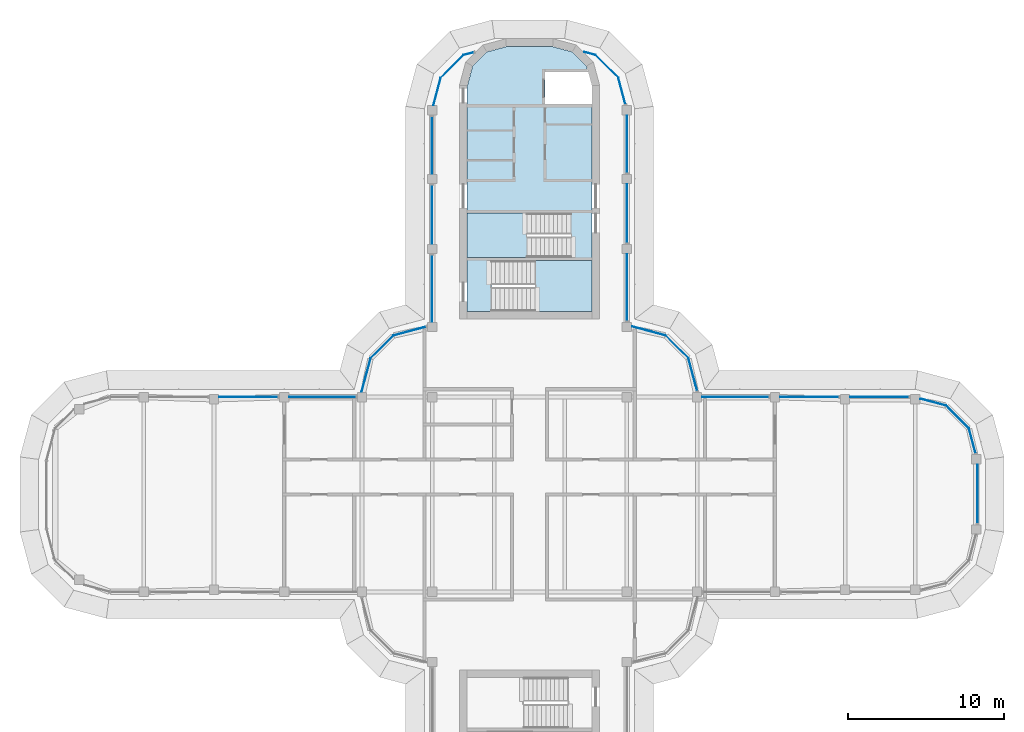
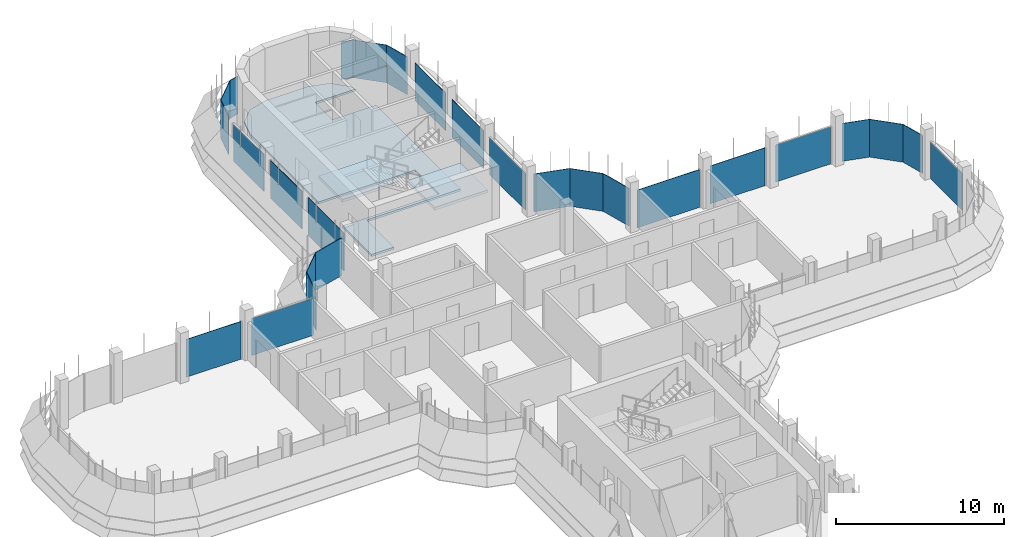
# One storey, part 12 of 19: 27 plates, 3 slabs, 22 elements without a shape of their own.
"""IFC4 building model written with IfcOpenShell, lengths in metres."""

from ifc_helpers import new_model, si_unit, direction, frame, origin, place, context, subcontext, project, spatial, polyline, outline, extrude, source, transform, mapped, material, layer, layer_set, type_object, element, aggregate, save


model = new_model("IFC4")

# Units and contexts
model_context = context("Model", 3, precision=1e-05, world=origin(), true_north=direction((0.0, 1.0)))
body_context = subcontext(model_context, "Body", "Model", "MODEL_VIEW")
ifc_project = project(units=[si_unit("LENGTHUNIT", "METRE"), si_unit("AREAUNIT", "SQUARE_METRE"), si_unit("VOLUMEUNIT", "CUBIC_METRE"), si_unit("PLANEANGLEUNIT", "RADIAN"), si_unit("MASSUNIT", "GRAM", prefix="KILO")], contexts=[model_context])

# Site, building, storey
site_placement = place(None, origin())
site = spatial("IfcSite", under=ifc_project, at=site_placement, CompositionType="ELEMENT")
building_placement = place(site_placement, origin())
building = spatial("IfcBuilding", under=site, at=building_placement, Name="Zarbagh Exchange Tower", CompositionType="ELEMENT")
storey_placement = place(building_placement, frame((0.0, 0.0, 253.60009765625)))
storey = spatial("IfcBuildingStorey", under=building, at=storey_placement, Name="L62", CompositionType="ELEMENT", Elevation=253.60009765625)

# Slab
ifc_material_1 = material(Name="Concrete C40/50", Category="concrete")
ifc_layer_1 = layer(ifc_material_1, 0.14990234375)
ifc_layer_set_1 = layer_set([ifc_layer_1], Name="Core floor slab 150 C40/50")
slab_type_1 = type_object("IfcSlabType", Name="Core floor slab 150 C40/50", PredefinedType="FLOOR", material=ifc_layer_set_1)
slab_1_placement = place(storey_placement, frame((0.0, 0.0, -0.150146484375)))
element("IfcSlab", 1, at=slab_1_placement, inside=storey, type_object=slab_type_1, Name="S17 core N", PredefinedType="FLOOR", context=body_context, shape_type="SweptSolid", body=[
    extrude(outline(polyline([(-4.0, 11.75), (-4.0, 15.199951171875), (2.64990234375, 15.199951171875), (2.64990234375, 18.050048828125), (-4.0, 18.050048828125), (-4.0, 26.18408203125), (-3.64990234375, 27.4912109375), (-2.7412109375, 28.39990234375), (-1.43408203125, 28.75), (1.43408203125, 28.75), (2.7412109375, 28.39990234375), (3.64990234375, 27.4912109375), (3.857666015625, 26.715087890625), (3.754638671875, 27.10009765625), (1.0, 27.10009765625), (1.0, 25.050048828125), (4.0, 25.050048828125), (4.0, 15.0), (-2.449951171875, 15.0), (-2.449951171875, 11.75), (-4.0, 11.75)])), origin(), (0.0, 0.0, 1.0), 0.150146484375),
])

# Stair, slab
stair_type = type_object("IfcStairType", Name="Exit stair two-flight half-turn", PredefinedType="HALF_TURN_STAIR", material=ifc_material_1)
stair_1_placement = place(storey_placement, origin())
stair_1 = element("IfcStair", 2, at=stair_1_placement, inside=storey, type_object=stair_type, Name="exit stair ST1", PredefinedType="HALF_TURN_STAIR")
ifc_layer_2 = layer(ifc_material_1, 0.199951171875)
ifc_layer_set_2 = layer_set([ifc_layer_2], Name="Stair landing 200 mm")
slab_type_2 = type_object("IfcSlabType", Name="Stair landing 200 mm", PredefinedType="LANDING", material=ifc_layer_set_2)
slab_2_placement = place(storey_placement, frame((0.0, 0.0, 1.699951171875)))
slab_2 = element("IfcSlab", 3, at=slab_2_placement, type_object=slab_type_2, Name="ST1 landing 1", PredefinedType="LANDING", context=body_context, shape_type="SweptSolid", body=[
    extrude(outline(polyline([(-0.14990234375, 18.050048828125), (-4.0, 18.050048828125), (-4.0, 15.199951171875), (-0.14990234375, 15.199951171875), (-0.14990234375, 18.050048828125)])), origin(), (0.0, 0.0, 1.0), 0.199951171875),
])
aggregate(stair_1, [slab_2])

stair_2_placement = place(storey_placement, origin())
stair_2 = element("IfcStair", 4, at=stair_2_placement, inside=storey, type_object=stair_type, Name="exit stair ST2", PredefinedType="HALF_TURN_STAIR")
slab_3_placement = place(storey_placement, frame((0.0, 0.0, 1.699951171875)))
slab_3 = element("IfcSlab", 5, at=slab_3_placement, type_object=slab_type_2, Name="ST2 landing 1", PredefinedType="LANDING", context=body_context, shape_type="SweptSolid", body=[
    extrude(outline(polyline([(0.35009765625, 11.75), (4.0, 11.75), (4.0, 15.0), (0.35009765625, 15.0), (0.35009765625, 11.75)])), origin(), (0.0, 0.0, 1.0), 0.199951171875),
])
aggregate(stair_2, [slab_3])

# Curtain wall, plate
ifc_material_2 = material(Name="Anodised aluminium frame and glazing", Category="aluminium")
curtain_wall_type = type_object("IfcCurtainWallType", Name="CWB Ribbon glazing, upper zones", PredefinedType="NOTDEFINED", material=ifc_material_2)
curtain_wall_1_placement = place(storey_placement, origin())
curtain_wall_1 = element("IfcCurtainWall", 6, at=curtain_wall_1_placement, inside=storey, type_object=curtain_wall_type, Name="CWB80 curtain wall", PredefinedType="NOTDEFINED")
ifc_material_3 = material(Name="Low-e double glazed unit, 6+12+6 mm")
ifc_layer_3 = layer(ifc_material_3, 0.031982421875)
ifc_layer_set_3 = layer_set([ifc_layer_3], Name="PAB Glazing panel, Low-e double glazed unit, 6+12+6 mm")
plate_type = type_object("IfcPlateType", Name="PAB Glazing panel, Low-e double glazed unit, 6+12+6 mm", PredefinedType="CURTAIN_PANEL", material=ifc_layer_set_3)
shared_shape_1 = source(origin(), body_context, "Body", "SweptSolid", [
    extrude(outline(polyline([(0.0, -0.01611328125), (2.061279296875, -0.01611328125), (2.061279296875, 0.01611328125), (0.0, 0.01611328125), (0.0, -0.01611328125)])), origin(), (0.0, 0.0, 1.0), 2.75),
])
placement = place(storey_placement, origin())
plate_1 = element("IfcPlate", 7, at=placement, type_object=plate_type, Name="CWB80 glazing panel 1.1", PredefinedType="CURTAIN_PANEL", context=body_context, shape_type="MappedRepresentation", body=[
    mapped(shared_shape_1, transform((28.19873046875, 4.2412109375, 0.0), x_axis=(-0.707106781187, 0.707106781187, 0.0), y_axis=(-0.707106781187, -0.707106781187, 0.0), z_axis=(0.0, 0.0, 1.0))),
])
aggregate(curtain_wall_1, [plate_1])

curtain_wall_2_placement = place(storey_placement, origin())
curtain_wall_2 = element("IfcCurtainWall", 8, at=curtain_wall_2_placement, inside=storey, type_object=curtain_wall_type, Name="CWB18 curtain wall", PredefinedType="NOTDEFINED")
plate_2 = element("IfcPlate", 9, at=placement, type_object=plate_type, Name="CWB18 glazing panel 1.1", PredefinedType="CURTAIN_PANEL", context=body_context, shape_type="MappedRepresentation", body=[
    mapped(shared_shape_1, transform((10.19873046875, 8.7412109375, 0.0), x_axis=(-0.707106781187, 0.707106781187, 0.0), y_axis=(-0.707106781187, -0.707106781187, 0.0), z_axis=(0.0, 0.0, 1.0))),
])
aggregate(curtain_wall_2, [plate_2])

curtain_wall_3_placement = place(storey_placement, origin())
curtain_wall_3 = element("IfcCurtainWall", 10, at=curtain_wall_3_placement, inside=storey, type_object=curtain_wall_type, Name="CWB74 curtain wall", PredefinedType="NOTDEFINED")
plate_3 = element("IfcPlate", 11, at=placement, type_object=plate_type, Name="CWB74 glazing panel 1.1", PredefinedType="CURTAIN_PANEL", context=body_context, shape_type="MappedRepresentation", body=[
    mapped(shared_shape_1, transform((5.69873046875, 26.7412109375, 0.0), x_axis=(-0.707106781187, 0.707106781187, 0.0), y_axis=(-0.707106781187, -0.707106781187, 0.0), z_axis=(0.0, 0.0, 1.0))),
])
aggregate(curtain_wall_3, [plate_3])

curtain_wall_4_placement = place(storey_placement, origin())
curtain_wall_4 = element("IfcCurtainWall", 12, at=curtain_wall_4_placement, inside=storey, type_object=curtain_wall_type, Name="CWB71 curtain wall", PredefinedType="NOTDEFINED")
plate_4 = element("IfcPlate", 13, at=placement, type_object=plate_type, Name="CWB71 glazing panel 1.1", PredefinedType="CURTAIN_PANEL", context=body_context, shape_type="MappedRepresentation", body=[
    mapped(shared_shape_1, transform((-4.2412109375, 28.19873046875, 0.0), x_axis=(-0.707106781187, -0.707106781187, 0.0), y_axis=(0.707106781187, -0.707106781187, 0.0), z_axis=(0.0, 0.0, 1.0))),
])
aggregate(curtain_wall_4, [plate_4])

curtain_wall_5_placement = place(storey_placement, origin())
curtain_wall_5 = element("IfcCurtainWall", 14, at=curtain_wall_5_placement, inside=storey, type_object=curtain_wall_type, Name="CWB30 curtain wall", PredefinedType="NOTDEFINED")
plate_5 = element("IfcPlate", 15, at=placement, type_object=plate_type, Name="CWB30 glazing panel 1.1", PredefinedType="CURTAIN_PANEL", context=body_context, shape_type="MappedRepresentation", body=[
    mapped(shared_shape_1, transform((-8.7412109375, 10.19873046875, 0.0), x_axis=(-0.707106781187, -0.707106781187, 0.0), y_axis=(0.707106781187, -0.707106781187, 0.0), z_axis=(0.0, 0.0, 1.0))),
])
aggregate(curtain_wall_5, [plate_5])

curtain_wall_6_placement = place(storey_placement, origin())
curtain_wall_6 = element("IfcCurtainWall", 16, at=curtain_wall_6_placement, inside=storey, type_object=curtain_wall_type, Name="CWB81 curtain wall", PredefinedType="NOTDEFINED")
shared_shape_2 = source(origin(), body_context, "Body", "SweptSolid", [
    extrude(outline(polyline([(0.0, -0.01611328125), (1.70947265625, -0.01611328125), (1.70947265625, 0.01611328125), (0.0, 0.01611328125), (0.0, -0.01611328125)])), origin(), (0.0, 0.0, 1.0), 2.75),
])
plate_6 = element("IfcPlate", 17, at=placement, type_object=plate_type, Name="CWB81 glazing panel 1.1", PredefinedType="CURTAIN_PANEL", context=body_context, shape_type="MappedRepresentation", body=[
    mapped(shared_shape_2, transform((26.7412109375, 5.69873046875, 0.0), x_axis=(-0.965924289636, 0.258824779902, 0.0), y_axis=(-0.258824779902, -0.965924289636, 0.0), z_axis=(0.0, 0.0, 1.0))),
])
aggregate(curtain_wall_6, [plate_6])

curtain_wall_7_placement = place(storey_placement, origin())
curtain_wall_7 = element("IfcCurtainWall", 18, at=curtain_wall_7_placement, inside=storey, type_object=curtain_wall_type, Name="CWB79 curtain wall", PredefinedType="NOTDEFINED")
shared_shape_3 = source(origin(), body_context, "Body", "SweptSolid", [
    extrude(outline(polyline([(0.0, -0.01611328125), (1.6494140625, -0.01611328125), (1.6494140625, 0.01611328125), (0.0, 0.01611328125), (0.0, -0.01611328125)])), origin(), (0.0, 0.0, 1.0), 2.75),
])
plate_7 = element("IfcPlate", 19, at=placement, type_object=plate_type, Name="CWB79 glazing panel 1.1", PredefinedType="CURTAIN_PANEL", context=body_context, shape_type="MappedRepresentation", body=[
    mapped(shared_shape_3, transform((28.625732421875, 2.64794921875, 0.0), x_axis=(-0.258824779902, 0.965924289636, 0.0), y_axis=(-0.965924289636, -0.258824779902, 0.0), z_axis=(0.0, 0.0, 1.0))),
])
aggregate(curtain_wall_7, [plate_7])

curtain_wall_8_placement = place(storey_placement, origin())
curtain_wall_8 = element("IfcCurtainWall", 20, at=curtain_wall_8_placement, inside=storey, type_object=curtain_wall_type, Name="CWB67 curtain wall", PredefinedType="NOTDEFINED")
shared_shape_4 = source(origin(), body_context, "Body", "SweptSolid", [
    extrude(outline(polyline([(0.0, -0.01611328125), (3.659912109375, -0.01611328125), (3.659912109375, 0.01611328125), (0.0, 0.01611328125), (0.0, -0.01611328125)])), origin(), (0.0, 0.0, 1.0), 2.75),
])
plate_8 = element("IfcPlate", 21, at=placement, type_object=plate_type, Name="CWB67 glazing panel 3.1", PredefinedType="CURTAIN_PANEL", context=body_context, shape_type="MappedRepresentation", body=[
    mapped(shared_shape_4, transform((6.25, 20.650146484375, 0.0), x_axis=(0.0, 1.0, 0.0), y_axis=(-1.0, 0.0, 0.0), z_axis=(0.0, 0.0, 1.0))),
])

curtain_wall_9_placement = place(storey_placement, origin())
curtain_wall_9 = element("IfcCurtainWall", 22, at=curtain_wall_9_placement, inside=storey, type_object=curtain_wall_type, Name="CWB69 curtain wall", PredefinedType="NOTDEFINED")
shared_shape_5 = source(origin(), body_context, "Body", "SweptSolid", [
    extrude(outline(polyline([(0.0, -0.01611328125), (0.757080078125, -0.01611328125), (0.757080078125, 0.01611328125), (0.0, 0.01611328125), (0.0, -0.01611328125)])), origin(), (0.0, 0.0, 1.0), 2.75),
])
plate_9 = element("IfcPlate", 23, at=placement, type_object=plate_type, Name="CWB69 glazing panel 1.1", PredefinedType="CURTAIN_PANEL", context=body_context, shape_type="MappedRepresentation", body=[
    mapped(shared_shape_5, transform((4.2412109375, 28.19873046875, 0.0), x_axis=(-0.965924289636, 0.258824779902, 0.0), y_axis=(-0.258824779902, -0.965924289636, 0.0), z_axis=(0.0, 0.0, 1.0))),
])
aggregate(curtain_wall_9, [plate_9])

curtain_wall_10_placement = place(storey_placement, origin())
curtain_wall_10 = element("IfcCurtainWall", 24, at=curtain_wall_10_placement, inside=storey, type_object=curtain_wall_type, Name="CWB70 curtain wall", PredefinedType="NOTDEFINED")
shared_shape_6 = source(origin(), body_context, "Body", "SweptSolid", [
    extrude(outline(polyline([(0.0, -0.01611328125), (0.697021484375, -0.01611328125), (0.697021484375, 0.01611328125), (0.0, 0.01611328125), (0.0, -0.01611328125)])), origin(), (0.0, 0.0, 1.0), 2.75),
])
plate_10 = element("IfcPlate", 25, at=placement, type_object=plate_type, Name="CWB70 glazing panel 1.1", PredefinedType="CURTAIN_PANEL", context=body_context, shape_type="MappedRepresentation", body=[
    mapped(shared_shape_6, transform((-3.56787109375, 28.379150390625, 0.0), x_axis=(-0.965924289636, -0.258824779902, 0.0), y_axis=(0.258824779902, -0.965924289636, 0.0), z_axis=(0.0, 0.0, 1.0))),
])
aggregate(curtain_wall_10, [plate_10])

curtain_wall_11_placement = place(storey_placement, origin())
curtain_wall_11 = element("IfcCurtainWall", 26, at=curtain_wall_11_placement, inside=storey, type_object=curtain_wall_type, Name="CWB72 curtain wall", PredefinedType="NOTDEFINED")
shared_shape_7 = source(origin(), body_context, "Body", "SweptSolid", [
    extrude(outline(polyline([(0.0, -0.01611328125), (1.81298828125, -0.01611328125), (1.81298828125, 0.01611328125), (0.0, 0.01611328125), (0.0, -0.01611328125)])), origin(), (0.0, 0.0, 1.0), 2.75),
])
plate_11 = element("IfcPlate", 27, at=placement, type_object=plate_type, Name="CWB72 glazing panel 1.1", PredefinedType="CURTAIN_PANEL", context=body_context, shape_type="MappedRepresentation", body=[
    mapped(shared_shape_7, transform((-5.69873046875, 26.7412109375, 0.0), x_axis=(-0.258824779902, -0.965924289636, 0.0), y_axis=(0.965924289636, -0.258824779902, 0.0), z_axis=(0.0, 0.0, 1.0))),
])
aggregate(curtain_wall_11, [plate_11])

curtain_wall_12_placement = place(storey_placement, origin())
curtain_wall_12 = element("IfcCurtainWall", 28, at=curtain_wall_12_placement, inside=storey, type_object=curtain_wall_type, Name="CWB82 curtain wall", PredefinedType="NOTDEFINED")
shared_shape_8 = source(origin(), body_context, "Body", "SweptSolid", [
    extrude(outline(polyline([(0.0, -0.01611328125), (3.760009765625, -0.01611328125), (3.760009765625, 0.01611328125), (0.0, 0.01611328125), (0.0, -0.01611328125)])), origin(), (0.0, 0.0, 1.0), 2.75),
])
plate_12 = element("IfcPlate", 29, at=placement, type_object=plate_type, Name="CWB82 glazing panel 2.1", PredefinedType="CURTAIN_PANEL", context=body_context, shape_type="MappedRepresentation", body=[
    mapped(shared_shape_8, transform((19.849853515625, 6.25, 0.0), x_axis=(-1.0, 0.0, 0.0), y_axis=(0.0, -1.0, 0.0), z_axis=(0.0, 0.0, 1.0))),
])

# Plate
plate_13 = element("IfcPlate", 30, at=placement, type_object=plate_type, Name="CWB67 glazing panel 2.1", PredefinedType="CURTAIN_PANEL", context=body_context, shape_type="MappedRepresentation", body=[
    mapped(shared_shape_8, transform((6.25, 16.150146484375, 0.0), x_axis=(0.0, 1.0, 0.0), y_axis=(-1.0, 0.0, 0.0), z_axis=(0.0, 0.0, 1.0))),
])

# Curtain wall, plate
curtain_wall_13_placement = place(storey_placement, origin())
curtain_wall_13 = element("IfcCurtainWall", 31, at=curtain_wall_13_placement, inside=storey, type_object=curtain_wall_type, Name="CWB73 curtain wall", PredefinedType="NOTDEFINED")
plate_14 = element("IfcPlate", 32, at=placement, type_object=plate_type, Name="CWB73 glazing panel 2.1", PredefinedType="CURTAIN_PANEL", context=body_context, shape_type="MappedRepresentation", body=[
    mapped(shared_shape_8, transform((-6.25, 19.849853515625, 0.0), x_axis=(0.0, -1.0, 0.0), y_axis=(1.0, 0.0, 0.0), z_axis=(0.0, 0.0, 1.0))),
])

curtain_wall_14_placement = place(storey_placement, origin())
curtain_wall_14 = element("IfcCurtainWall", 33, at=curtain_wall_14_placement, inside=storey, type_object=curtain_wall_type, Name="CWB58 curtain wall", PredefinedType="NOTDEFINED")
plate_15 = element("IfcPlate", 34, at=placement, type_object=plate_type, Name="CWB58 glazing panel 2.1", PredefinedType="CURTAIN_PANEL", context=body_context, shape_type="MappedRepresentation", body=[
    mapped(shared_shape_8, transform((-16.150146484375, 6.25, 0.0), x_axis=(-1.0, 0.0, 0.0), y_axis=(0.0, -1.0, 0.0), z_axis=(0.0, 0.0, 1.0))),
])

# Plate
shared_shape_9 = source(origin(), body_context, "Body", "SweptSolid", [
    extrude(outline(polyline([(0.0, -0.01611328125), (4.260009765625, -0.01611328125), (4.260009765625, 0.01611328125), (0.0, 0.01611328125), (0.0, -0.01611328125)])), origin(), (0.0, 0.0, 1.0), 2.75),
])
plate_16 = element("IfcPlate", 35, at=placement, type_object=plate_type, Name="CWB82 glazing panel 3.1", PredefinedType="CURTAIN_PANEL", context=body_context, shape_type="MappedRepresentation", body=[
    mapped(shared_shape_9, transform((15.349853515625, 6.25, 0.0), x_axis=(-1.0, 0.0, 0.0), y_axis=(0.0, -1.0, 0.0), z_axis=(0.0, 0.0, 1.0))),
])

plate_17 = element("IfcPlate", 36, at=placement, type_object=plate_type, Name="CWB73 glazing panel 3.1", PredefinedType="CURTAIN_PANEL", context=body_context, shape_type="MappedRepresentation", body=[
    mapped(shared_shape_9, transform((-6.25, 15.349853515625, 0.0), x_axis=(0.0, -1.0, 0.0), y_axis=(1.0, 0.0, 0.0), z_axis=(0.0, 0.0, 1.0))),
])

# Curtain wall, plate
curtain_wall_15_placement = place(storey_placement, origin())
curtain_wall_15 = element("IfcCurtainWall", 37, at=curtain_wall_15_placement, inside=storey, type_object=curtain_wall_type, Name="CWB17 curtain wall", PredefinedType="NOTDEFINED")
shared_shape_10 = source(origin(), body_context, "Body", "SweptSolid", [
    extrude(outline(polyline([(0.0, -0.01611328125), (2.1669921875, -0.01611328125), (2.1669921875, 0.01611328125), (0.0, 0.01611328125), (0.0, -0.01611328125)])), origin(), (0.0, 0.0, 1.0), 2.75),
])
plate_18 = element("IfcPlate", 38, at=placement, type_object=plate_type, Name="CWB17 glazing panel 1.1", PredefinedType="CURTAIN_PANEL", context=body_context, shape_type="MappedRepresentation", body=[
    mapped(shared_shape_10, transform((10.759765625, 6.64794921875, 0.0), x_axis=(-0.258824779902, 0.965924289636, 0.0), y_axis=(-0.965924289636, -0.258824779902, 0.0), z_axis=(0.0, 0.0, 1.0))),
])
aggregate(curtain_wall_15, [plate_18])

curtain_wall_16_placement = place(storey_placement, origin())
curtain_wall_16 = element("IfcCurtainWall", 39, at=curtain_wall_16_placement, inside=storey, type_object=curtain_wall_type, Name="CWB29 curtain wall", PredefinedType="NOTDEFINED")
plate_19 = element("IfcPlate", 40, at=placement, type_object=plate_type, Name="CWB29 glazing panel 1.1", PredefinedType="CURTAIN_PANEL", context=body_context, shape_type="MappedRepresentation", body=[
    mapped(shared_shape_10, transform((-6.64794921875, 10.759765625, 0.0), x_axis=(-0.965924289636, -0.258824779902, 0.0), y_axis=(0.258824779902, -0.965924289636, 0.0), z_axis=(0.0, 0.0, 1.0))),
])
aggregate(curtain_wall_16, [plate_19])

curtain_wall_17_placement = place(storey_placement, origin())
curtain_wall_17 = element("IfcCurtainWall", 41, at=curtain_wall_17_placement, inside=storey, type_object=curtain_wall_type, Name="CWB19 curtain wall", PredefinedType="NOTDEFINED")
shared_shape_11 = source(origin(), body_context, "Body", "SweptSolid", [
    extrude(outline(polyline([(0.0, -0.01611328125), (2.22705078125, -0.01611328125), (2.22705078125, 0.01611328125), (0.0, 0.01611328125), (0.0, -0.01611328125)])), origin(), (0.0, 0.0, 1.0), 2.75),
])
plate_20 = element("IfcPlate", 42, at=placement, type_object=plate_type, Name="CWB19 glazing panel 1.1", PredefinedType="CURTAIN_PANEL", context=body_context, shape_type="MappedRepresentation", body=[
    mapped(shared_shape_11, transform((8.7412109375, 10.19873046875, 0.0), x_axis=(-0.965924289636, 0.258824779902, 0.0), y_axis=(-0.258824779902, -0.965924289636, 0.0), z_axis=(0.0, 0.0, 1.0))),
])
aggregate(curtain_wall_17, [plate_20])

curtain_wall_18_placement = place(storey_placement, origin())
curtain_wall_18 = element("IfcCurtainWall", 43, at=curtain_wall_18_placement, inside=storey, type_object=curtain_wall_type, Name="CWB31 curtain wall", PredefinedType="NOTDEFINED")
plate_21 = element("IfcPlate", 44, at=placement, type_object=plate_type, Name="CWB31 glazing panel 1.1", PredefinedType="CURTAIN_PANEL", context=body_context, shape_type="MappedRepresentation", body=[
    mapped(shared_shape_11, transform((-10.19873046875, 8.7412109375, 0.0), x_axis=(-0.258824779902, -0.965924289636, 0.0), y_axis=(0.965924289636, -0.258824779902, 0.0), z_axis=(0.0, 0.0, 1.0))),
])
aggregate(curtain_wall_18, [plate_21])

# Plate
shared_shape_12 = source(origin(), body_context, "Body", "SweptSolid", [
    extrude(outline(polyline([(0.0, -0.01611328125), (4.260009765625, -0.01611328125), (4.260009765625, 0.01611328125), (0.0, 0.01611328125), (0.0, -0.01611328125)])), origin(), (0.0, 0.0, 1.0), 2.68994140625),
])
plate_22 = element("IfcPlate", 45, at=placement, type_object=plate_type, Name="CWB67 glazing panel 1.1", PredefinedType="CURTAIN_PANEL", context=body_context, shape_type="MappedRepresentation", body=[
    mapped(shared_shape_12, transform((6.25, 11.150146484375, 0.0), x_axis=(0.0, 1.0, 0.0), y_axis=(-1.0, 0.0, 0.0), z_axis=(0.0, 0.0, 1.0))),
])

aggregate(curtain_wall_8, [plate_22, plate_13, plate_8])

plate_23 = element("IfcPlate", 46, at=placement, type_object=plate_type, Name="CWB58 glazing panel 1.1", PredefinedType="CURTAIN_PANEL", context=body_context, shape_type="MappedRepresentation", body=[
    mapped(shared_shape_12, transform((-11.150146484375, 6.25, 0.0), x_axis=(-1.0, 0.0, 0.0), y_axis=(0.0, -1.0, 0.0), z_axis=(0.0, 0.0, 1.0))),
])

aggregate(curtain_wall_14, [plate_23, plate_15])

# Curtain wall, plate
curtain_wall_19_placement = place(storey_placement, origin())
curtain_wall_19 = element("IfcCurtainWall", 47, at=curtain_wall_19_placement, inside=storey, type_object=curtain_wall_type, Name="CWB83 curtain wall", PredefinedType="NOTDEFINED")
shared_shape_13 = source(origin(), body_context, "Body", "SweptSolid", [
    extrude(outline(polyline([(0.0, -0.01611328125), (3.760009765625, -0.01611328125), (3.760009765625, 0.01611328125), (0.0, 0.01611328125), (0.0, -0.01611328125)])), origin(), (0.0, 0.0, 1.0), 2.68994140625),
])
plate_24 = element("IfcPlate", 48, at=placement, type_object=plate_type, Name="CWB83 glazing panel 1.1", PredefinedType="CURTAIN_PANEL", context=body_context, shape_type="MappedRepresentation", body=[
    mapped(shared_shape_13, transform((28.75, -1.849853515625, 0.0), x_axis=(0.0, 1.0, 0.0), y_axis=(-1.0, 0.0, 0.0), z_axis=(0.0, 0.0, 1.0))),
])
aggregate(curtain_wall_19, [plate_24])

# Plate
plate_25 = element("IfcPlate", 49, at=placement, type_object=plate_type, Name="CWB82 glazing panel 1.1", PredefinedType="CURTAIN_PANEL", context=body_context, shape_type="MappedRepresentation", body=[
    mapped(shared_shape_13, transform((24.349853515625, 6.25, 0.0), x_axis=(-1.0, 0.0, 0.0), y_axis=(0.0, -1.0, 0.0), z_axis=(0.0, 0.0, 1.0))),
])

aggregate(curtain_wall_12, [plate_25, plate_12, plate_16])

# Curtain wall, plate
curtain_wall_20_placement = place(storey_placement, origin())
curtain_wall_20 = element("IfcCurtainWall", 50, at=curtain_wall_20_placement, inside=storey, type_object=curtain_wall_type, Name="CWB68 curtain wall", PredefinedType="NOTDEFINED")
shared_shape_14 = source(origin(), body_context, "Body", "SweptSolid", [
    extrude(outline(polyline([(0.0, -0.01611328125), (1.7529296875, -0.01611328125), (1.7529296875, 0.01611328125), (0.0, 0.01611328125), (0.0, -0.01611328125)])), origin(), (0.0, 0.0, 1.0), 2.75),
])
plate_26 = element("IfcPlate", 51, at=placement, type_object=plate_type, Name="CWB68 glazing panel 1.1", PredefinedType="CURTAIN_PANEL", context=body_context, shape_type="MappedRepresentation", body=[
    mapped(shared_shape_14, transform((6.152587890625, 25.0478515625, 0.0), x_axis=(-0.258824779902, 0.965924289636, 0.0), y_axis=(-0.965924289636, -0.258824779902, 0.0), z_axis=(0.0, 0.0, 1.0))),
])
aggregate(curtain_wall_20, [plate_26])

# Plate
shared_shape_15 = source(origin(), body_context, "Body", "SweptSolid", [
    extrude(outline(polyline([(0.0, -0.01611328125), (3.659912109375, -0.01611328125), (3.659912109375, 0.01611328125), (0.0, 0.01611328125), (0.0, -0.01611328125)])), origin(), (0.0, 0.0, 1.0), 2.68994140625),
])
plate_27 = element("IfcPlate", 52, at=placement, type_object=plate_type, Name="CWB73 glazing panel 1.1", PredefinedType="CURTAIN_PANEL", context=body_context, shape_type="MappedRepresentation", body=[
    mapped(shared_shape_15, transform((-6.25, 24.25, 0.0), x_axis=(0.0, -1.0, 0.0), y_axis=(1.0, 0.0, 0.0), z_axis=(0.0, 0.0, 1.0))),
])

aggregate(curtain_wall_13, [plate_27, plate_14, plate_17])

save(model, "model.ifc")
